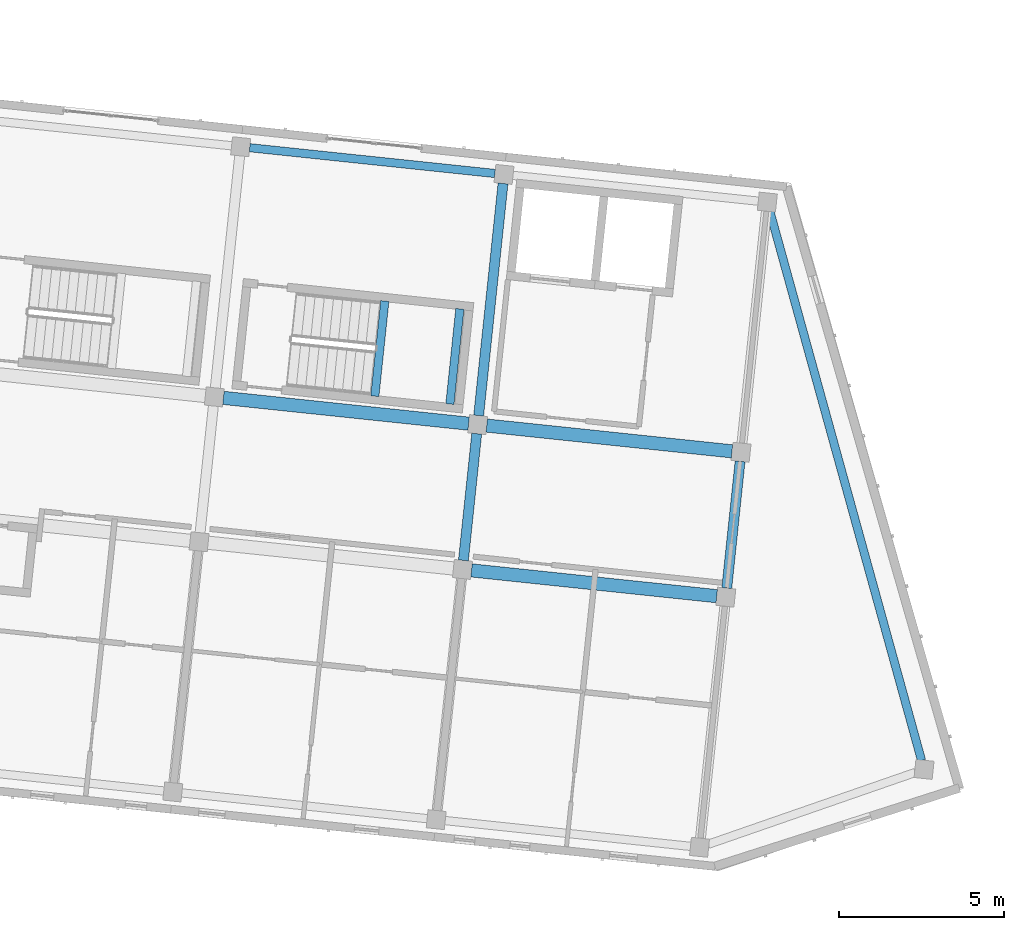
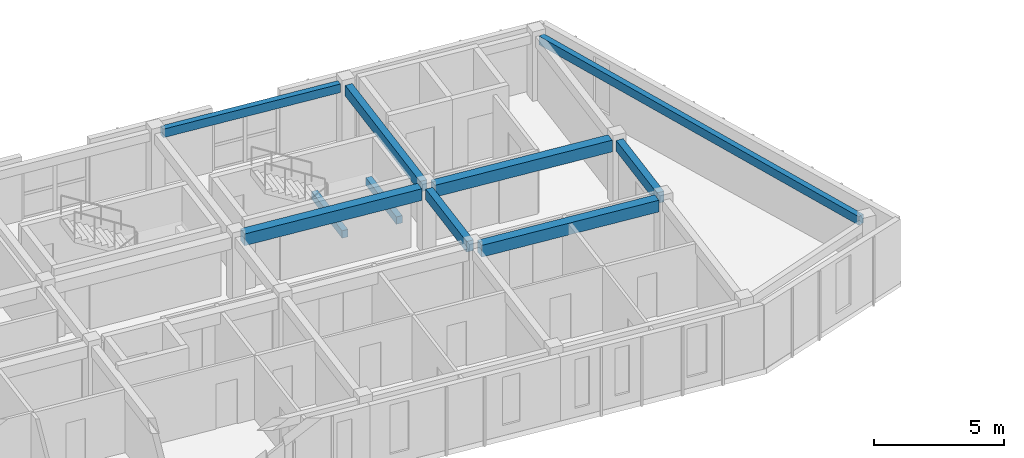
# One storey, part 13 of 65: 10 beams.
"""IFC4 building model written with IfcOpenShell, lengths in metres."""

from ifc_helpers import new_model, si_unit, direction, frame, origin, origin_2d, place, context, subcontext, project, spatial, rectangle, extrude, material, material_profile, profile_set, type_object, element, save


model = new_model("IFC4")

# Units and contexts
model_context = context("Model", 3, precision=1e-05, world=origin(), true_north=direction((0.0, 1.0)))
body_context = subcontext(model_context, "Body", "Model", "MODEL_VIEW")
ifc_project = project(units=[si_unit("LENGTHUNIT", "METRE"), si_unit("AREAUNIT", "SQUARE_METRE"), si_unit("VOLUMEUNIT", "CUBIC_METRE"), si_unit("PLANEANGLEUNIT", "RADIAN"), si_unit("MASSUNIT", "GRAM", prefix="KILO")], contexts=[model_context])

# Site, building, storey
site_placement = place(None, origin())
site = spatial("IfcSite", under=ifc_project, at=site_placement, CompositionType="ELEMENT")
building_placement = place(site_placement, origin())
building = spatial("IfcBuilding", under=site, at=building_placement, Name="Kestramere Prow Commons", CompositionType="ELEMENT")
storey_placement = place(building_placement, frame((0.0, 0.0, 21.39990234375)))
storey = spatial("IfcBuildingStorey", under=building, at=storey_placement, Name="L06", CompositionType="ELEMENT", Elevation=21.39990234375)

# Beams
ifc_material_1 = material(Name="Precast concrete C40/50", Category="concrete")
ifc_material_profile_1 = material_profile(ifc_material_1, rectangle(XDim=0.39990234375, YDim=0.550048828125, at=origin_2d()), Name="PC-BM 400x550")
ifc_profile_set_1 = profile_set([ifc_material_profile_1], Name="Precast concrete C40/50")
beam_type_1 = type_object("IfcBeamType", Name="BM-B1 PC-BM 400x550", PredefinedType="BEAM", material=ifc_profile_set_1)
for number, where, z_axis, x_axis, name in (
    (1, (150.848876953125, 98.1484375, 2.72509765625), (0.994520884665, -0.104538079019, 0.0), (0.104538079019, 0.994520884665, 0.0), "Block B L06 Longitudinal Beam 2-6"),
    (2, (143.3525390625, 103.360595703125, 2.72509765625), (0.994520884665, -0.104538079019, 0.0), (0.104538079019, 0.994520884665, 0.0), "Block B L06 Longitudinal Beam 3-5"),
):
    element("IfcBeam", number, at=place(storey_placement, frame(where, z_axis=z_axis, x_axis=x_axis)), inside=storey, type_object=beam_type_1, Name=name, PredefinedType="BEAM", context=body_context, shape_type="SweptSolid", body=[
        extrude(rectangle(XDim=0.39990234375, YDim=0.550048828125, at=origin_2d()), origin(), (0.0, 0.0, 1.0), 7.449951171875),
    ])
beam_1_placement = place(storey_placement, frame((151.30859375, 102.5244140625, 2.72509765625), z_axis=(0.994521242771, -0.104534672129, 0.0), x_axis=(0.104534672129, 0.994521242771, 0.0)))
element("IfcBeam", 3, at=beam_1_placement, inside=storey, type_object=beam_type_1, Name="Block B L06 Longitudinal Beam 3-6", PredefinedType="BEAM", context=body_context, shape_type="SweptSolid", body=[
    extrude(rectangle(XDim=0.39990234375, YDim=0.550048828125, at=origin_2d()), origin(), (0.0, 0.0, 1.0), 7.4501953125),
])
ifc_material_2 = material(Name="Concrete C40/50", Category="concrete")
ifc_material_profile_2 = material_profile(ifc_material_2, rectangle(XDim=0.25, YDim=0.35009765625, at=origin_2d()), Name="PC-BM 250x350")
ifc_profile_set_2 = profile_set([ifc_material_profile_2], Name="Concrete C40/50")
beam_type_2 = type_object("IfcBeamType", Name="BM-ST-TRIM", PredefinedType="BEAM", material=ifc_profile_set_2)
for number, where, z_axis, x_axis, name in (
    (4, (147.927978515625, 103.41259765625, 1.25), (0.104579248847, 0.994516556278, 0.0), (-0.994516556278, 0.104579248847, 0.0), "ST-B2 L06 Landing Trimmer Beam 1A"),
    (5, (150.195556640625, 103.17431640625, 1.25), (0.104495697268, 0.994525338668, 0.0), (-0.994525338668, 0.104495697268, 0.0), "ST-B2 L06 Landing Trimmer Beam 1B"),
):
    element("IfcBeam", number, at=place(storey_placement, frame(where, z_axis=z_axis, x_axis=x_axis)), inside=storey, type_object=beam_type_2, Name=name, PredefinedType="BEAM", context=body_context, shape_type="SweptSolid", body=[
        extrude(rectangle(XDim=0.25, YDim=0.35009765625, at=origin_2d()), origin(), (0.0, 0.0, 1.0), 2.89013671875),
    ])
ifc_material_profile_3 = material_profile(ifc_material_1, rectangle(XDim=0.300048828125, YDim=0.5, at=origin_2d()), Name="PC-BM 300x500")
ifc_profile_set_3 = profile_set([ifc_material_profile_3], Name="Precast concrete C40/50")
beam_type_3 = type_object("IfcBeamType", Name="BM-TIE-01 PC-BM 300x500", PredefinedType="BEAM", material=ifc_profile_set_3)
beam_2_placement = place(storey_placement, frame((150.60400390625, 98.45068359375, 2.75), z_axis=(0.104569249198, 0.994517607749, 0.0), x_axis=(-0.994517607749, 0.104569249198, 0.0)))
element("IfcBeam", 6, at=beam_2_placement, inside=storey, type_object=beam_type_3, Name="Block B L06 Transverse Beam 6-2", PredefinedType="BEAM", context=body_context, shape_type="SweptSolid", body=[
    extrude(rectangle(XDim=0.300048828125, YDim=0.5, at=origin_2d()), origin(), (0.0, 0.0, 1.0), 3.849853515625),
])
beam_3_placement = place(storey_placement, frame((151.06396484375, 102.82666015625, 2.75), z_axis=(0.104515329964, 0.994523275646, 0.0), x_axis=(-0.994523275646, 0.104515329964, 0.0)))
element("IfcBeam", 7, at=beam_3_placement, inside=storey, type_object=beam_type_3, Name="Block B L06 Transverse Beam 6-3", PredefinedType="BEAM", context=body_context, shape_type="SweptSolid", body=[
    extrude(rectangle(XDim=0.300048828125, YDim=0.5, at=origin_2d()), origin(), (0.0, 0.0, 1.0), 7.0498046875),
])
beam_4_placement = place(storey_placement, frame((158.560302734375, 97.614501953125, 2.75), z_axis=(0.104506528251, 0.994524200587, 0.0), x_axis=(-0.994524200587, 0.104506528251, 0.0)))
element("IfcBeam", 8, at=beam_4_placement, inside=storey, type_object=beam_type_3, Name="Block B L06 Transverse Beam 7-2", PredefinedType="BEAM", context=body_context, shape_type="SweptSolid", body=[
    extrude(rectangle(XDim=0.300048828125, YDim=0.5, at=origin_2d()), origin(), (0.0, 0.0, 1.0), 3.849853515625),
])
ifc_material_profile_4 = material_profile(ifc_material_1, rectangle(XDim=0.25, YDim=0.39990234375, at=origin_2d()), Name="PC-SP 250x400")
ifc_profile_set_4 = profile_set([ifc_material_profile_4], Name="Precast concrete C40/50")
beam_type_4 = type_object("IfcBeamType", Name="SP-EXT-01 PC-SP 250x400", PredefinedType="SPANDREL", material=ifc_profile_set_4)
beam_5_placement = place(storey_placement, frame((159.8603515625, 109.00537109375, 2.800048828125), z_axis=(0.266276973363, -0.963896557446, 0.0), x_axis=(0.963896557446, 0.266276973363, 0.0)))
element("IfcBeam", 9, at=beam_5_placement, inside=storey, type_object=beam_type_4, Name="Block B L06 Prow Facet Beam N", PredefinedType="SPANDREL", context=body_context, shape_type="SweptSolid", body=[
    extrude(rectangle(XDim=0.25, YDim=0.39990234375, at=origin_2d()), origin(), (0.0, 0.0, 1.0), 17.220703125),
])
beam_6_placement = place(storey_placement, frame((144.14697265625, 110.9189453125, 2.800048828125), z_axis=(0.994520884665, -0.104538079019, 0.0), x_axis=(0.104538079019, 0.994520884665, 0.0)))
element("IfcBeam", 10, at=beam_6_placement, inside=storey, type_object=beam_type_4, Name="Block B L06 Longitudinal Beam 4-5", PredefinedType="SPANDREL", context=body_context, shape_type="SweptSolid", body=[
    extrude(rectangle(XDim=0.25, YDim=0.39990234375, at=origin_2d()), origin(), (0.0, 0.0, 1.0), 7.449951171875),
])

save(model, "model.ifc")
